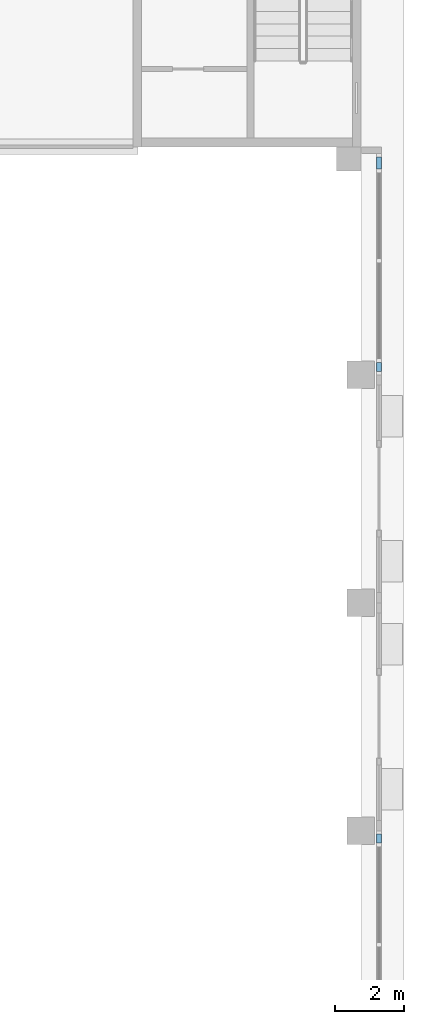
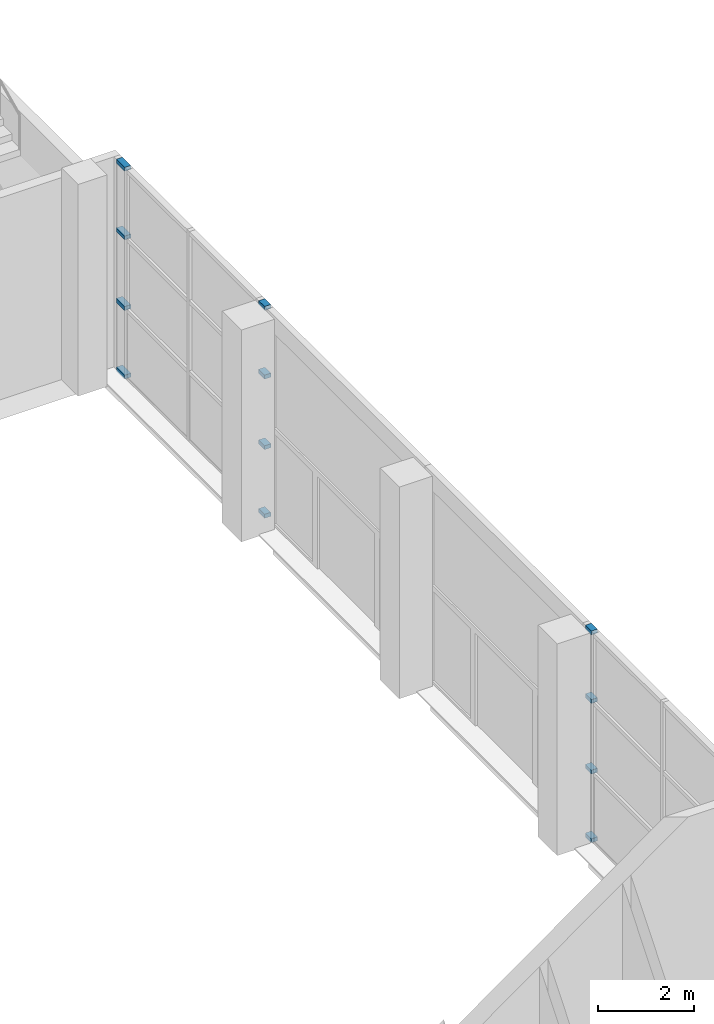
# One storey, part 16 of 85: 12 members, 2 elements without a shape of their own.
"""IFC4 building model written with IfcOpenShell, lengths in metres."""

from ifc_helpers import new_model, si_unit, direction, frame, origin, origin_2d, place, context, subcontext, project, spatial, rectangle, extrude, material, material_profile, profile_set, type_object, element, aggregate, save


model = new_model("IFC4")

# Units and contexts
model_context = context("Model", 3, precision=1e-05, world=origin(), true_north=direction((0.0, 1.0)))
body_context = subcontext(model_context, "Body", "Model", "MODEL_VIEW")
ifc_project = project(units=[si_unit("LENGTHUNIT", "METRE"), si_unit("AREAUNIT", "SQUARE_METRE"), si_unit("VOLUMEUNIT", "CUBIC_METRE"), si_unit("PLANEANGLEUNIT", "RADIAN"), si_unit("MASSUNIT", "GRAM", prefix="KILO")], contexts=[model_context])

# Site, building, storey
site_placement = place(None, origin())
site = spatial("IfcSite", under=ifc_project, at=site_placement, CompositionType="ELEMENT")
building_placement = place(site_placement, origin())
building = spatial("IfcBuilding", under=site, at=building_placement, Name="Lantern Court Research Institute", CompositionType="ELEMENT")
storey_placement = place(building_placement, origin())
storey = spatial("IfcBuildingStorey", under=building, at=storey_placement, Name="L00", CompositionType="ELEMENT", Elevation=0.0)

# Curtain wall, members
ifc_material_1 = material(Name="Aluminium alloy 6063-T6", Category="aluminium")
curtain_wall_type_1 = type_object("IfcCurtainWallType", Name="Curtain wall 6600 x 5400 x 150 aluminium frame", PredefinedType="NOTDEFINED", material=ifc_material_1)
curtain_wall_1_placement = place(storey_placement, origin())
curtain_wall_1 = element("IfcCurtainWall", 1, at=curtain_wall_1_placement, inside=storey, type_object=curtain_wall_type_1, Name="Curtain wall CW001", PredefinedType="NOTDEFINED")
ifc_material_2 = material(Name="Aluminium alloy 6063-T6", Category="aluminium")
ifc_material_profile = material_profile(ifc_material_2, rectangle(XDim=0.14990234375, YDim=0.10009765625, at=origin_2d()), Name="Transom 150 x 100")
ifc_profile_set = profile_set([ifc_material_profile], Name="Aluminium alloy 6063-T6")
member_type = type_object("IfcMemberType", Name="Transom 150 x 100 aluminium", PredefinedType="USERDEFINED", material=ifc_profile_set)
member_1_placement = place(storey_placement, frame((79.72509765625, 29.60009765625, 0.050048828125), z_axis=(0.0, -1.0, 0.0), x_axis=(1.0, 0.0, 0.0)))
member_1 = element("IfcMember", 2, at=member_1_placement, type_object=member_type, Name="CW001 transom 3.1", ObjectType="TRANSOM", PredefinedType="USERDEFINED", context=body_context, shape_type="SweptSolid", body=[
    extrude(rectangle(XDim=0.14990234375, YDim=0.10009765625, at=origin_2d()), origin(), (0.0, 0.0, 1.0), 0.25),
])
member_2_placement = place(storey_placement, frame((79.72509765625, 29.60009765625, 1.800048828125), z_axis=(0.0, -1.0, 0.0), x_axis=(1.0, 0.0, 0.0)))
member_2 = element("IfcMember", 3, at=member_2_placement, type_object=member_type, Name="CW001 transom 3.2", ObjectType="TRANSOM", PredefinedType="USERDEFINED", context=body_context, shape_type="SweptSolid", body=[
    extrude(rectangle(XDim=0.14990234375, YDim=0.10009765625, at=origin_2d()), origin(), (0.0, 0.0, 1.0), 0.25),
])
member_3_placement = place(storey_placement, frame((79.72509765625, 29.60009765625, 3.60009765625), z_axis=(0.0, -1.0, 0.0), x_axis=(1.0, 0.0, 0.0)))
member_3 = element("IfcMember", 4, at=member_3_placement, type_object=member_type, Name="CW001 transom 3.3", ObjectType="TRANSOM", PredefinedType="USERDEFINED", context=body_context, shape_type="SweptSolid", body=[
    extrude(rectangle(XDim=0.14990234375, YDim=0.10009765625, at=origin_2d()), origin(), (0.0, 0.0, 1.0), 0.25),
])
member_4_placement = place(storey_placement, frame((79.72509765625, 29.60009765625, 5.35009765625), z_axis=(0.0, -1.0, 0.0), x_axis=(1.0, 0.0, 0.0)))
member_4 = element("IfcMember", 5, at=member_4_placement, type_object=member_type, Name="CW001 transom 3.4", ObjectType="TRANSOM", PredefinedType="USERDEFINED", context=body_context, shape_type="SweptSolid", body=[
    extrude(rectangle(XDim=0.14990234375, YDim=0.10009765625, at=origin_2d()), origin(), (0.0, 0.0, 1.0), 0.25),
])
aggregate(curtain_wall_1, [member_1, member_2, member_3, member_4])

ifc_material_3 = material(Name="Aluminium alloy 6063-T6", Category="aluminium")
curtain_wall_type_2 = type_object("IfcCurtainWallType", Name="Curtain wall 6400 x 5400 x 150 aluminium frame", PredefinedType="NOTDEFINED", material=ifc_material_3)
curtain_wall_2_placement = place(storey_placement, origin())
curtain_wall_2 = element("IfcCurtainWall", 6, at=curtain_wall_2_placement, inside=storey, type_object=curtain_wall_type_2, Name="Curtain wall CW002", PredefinedType="NOTDEFINED")
member_5_placement = place(storey_placement, frame((79.72509765625, 43.25, 0.050048828125), z_axis=(0.0, -1.0, 0.0), x_axis=(1.0, 0.0, 0.0)))
member_5 = element("IfcMember", 7, at=member_5_placement, type_object=member_type, Name="CW002 transom 1.1", ObjectType="TRANSOM", PredefinedType="USERDEFINED", context=body_context, shape_type="SweptSolid", body=[
    extrude(rectangle(XDim=0.14990234375, YDim=0.10009765625, at=origin_2d()), origin(), (0.0, 0.0, 1.0), 0.25),
])
member_6_placement = place(storey_placement, frame((79.72509765625, 43.25, 1.800048828125), z_axis=(0.0, -1.0, 0.0), x_axis=(1.0, 0.0, 0.0)))
member_6 = element("IfcMember", 8, at=member_6_placement, type_object=member_type, Name="CW002 transom 1.2", ObjectType="TRANSOM", PredefinedType="USERDEFINED", context=body_context, shape_type="SweptSolid", body=[
    extrude(rectangle(XDim=0.14990234375, YDim=0.10009765625, at=origin_2d()), origin(), (0.0, 0.0, 1.0), 0.25),
])
member_7_placement = place(storey_placement, frame((79.72509765625, 43.25, 3.60009765625), z_axis=(0.0, -1.0, 0.0), x_axis=(1.0, 0.0, 0.0)))
member_7 = element("IfcMember", 9, at=member_7_placement, type_object=member_type, Name="CW002 transom 1.3", ObjectType="TRANSOM", PredefinedType="USERDEFINED", context=body_context, shape_type="SweptSolid", body=[
    extrude(rectangle(XDim=0.14990234375, YDim=0.10009765625, at=origin_2d()), origin(), (0.0, 0.0, 1.0), 0.25),
])
member_8_placement = place(storey_placement, frame((79.72509765625, 43.25, 5.35009765625), z_axis=(0.0, -1.0, 0.0), x_axis=(1.0, 0.0, 0.0)))
member_8 = element("IfcMember", 10, at=member_8_placement, type_object=member_type, Name="CW002 transom 1.4", ObjectType="TRANSOM", PredefinedType="USERDEFINED", context=body_context, shape_type="SweptSolid", body=[
    extrude(rectangle(XDim=0.14990234375, YDim=0.10009765625, at=origin_2d()), origin(), (0.0, 0.0, 1.0), 0.25),
])
member_9_placement = place(storey_placement, frame((79.72509765625, 49.199951171875, 0.050048828125), z_axis=(0.0, -1.0, 0.0), x_axis=(1.0, 0.0, 0.0)))
member_9 = element("IfcMember", 11, at=member_9_placement, type_object=member_type, Name="CW002 transom 4.1", ObjectType="TRANSOM", PredefinedType="USERDEFINED", context=body_context, shape_type="SweptSolid", body=[
    extrude(rectangle(XDim=0.14990234375, YDim=0.10009765625, at=origin_2d()), origin(), (0.0, 0.0, 1.0), 0.349853515625),
])
member_10_placement = place(storey_placement, frame((79.72509765625, 49.199951171875, 1.800048828125), z_axis=(0.0, -1.0, 0.0), x_axis=(1.0, 0.0, 0.0)))
member_10 = element("IfcMember", 12, at=member_10_placement, type_object=member_type, Name="CW002 transom 4.2", ObjectType="TRANSOM", PredefinedType="USERDEFINED", context=body_context, shape_type="SweptSolid", body=[
    extrude(rectangle(XDim=0.14990234375, YDim=0.10009765625, at=origin_2d()), origin(), (0.0, 0.0, 1.0), 0.349853515625),
])
member_11_placement = place(storey_placement, frame((79.72509765625, 49.199951171875, 3.60009765625), z_axis=(0.0, -1.0, 0.0), x_axis=(1.0, 0.0, 0.0)))
member_11 = element("IfcMember", 13, at=member_11_placement, type_object=member_type, Name="CW002 transom 4.3", ObjectType="TRANSOM", PredefinedType="USERDEFINED", context=body_context, shape_type="SweptSolid", body=[
    extrude(rectangle(XDim=0.14990234375, YDim=0.10009765625, at=origin_2d()), origin(), (0.0, 0.0, 1.0), 0.349853515625),
])
member_12_placement = place(storey_placement, frame((79.72509765625, 49.199951171875, 5.35009765625), z_axis=(0.0, -1.0, 0.0), x_axis=(1.0, 0.0, 0.0)))
member_12 = element("IfcMember", 14, at=member_12_placement, type_object=member_type, Name="CW002 transom 4.4", ObjectType="TRANSOM", PredefinedType="USERDEFINED", context=body_context, shape_type="SweptSolid", body=[
    extrude(rectangle(XDim=0.14990234375, YDim=0.10009765625, at=origin_2d()), origin(), (0.0, 0.0, 1.0), 0.349853515625),
])
aggregate(curtain_wall_2, [member_5, member_6, member_7, member_8, member_9, member_10, member_11, member_12])

save(model, "model.ifc")
